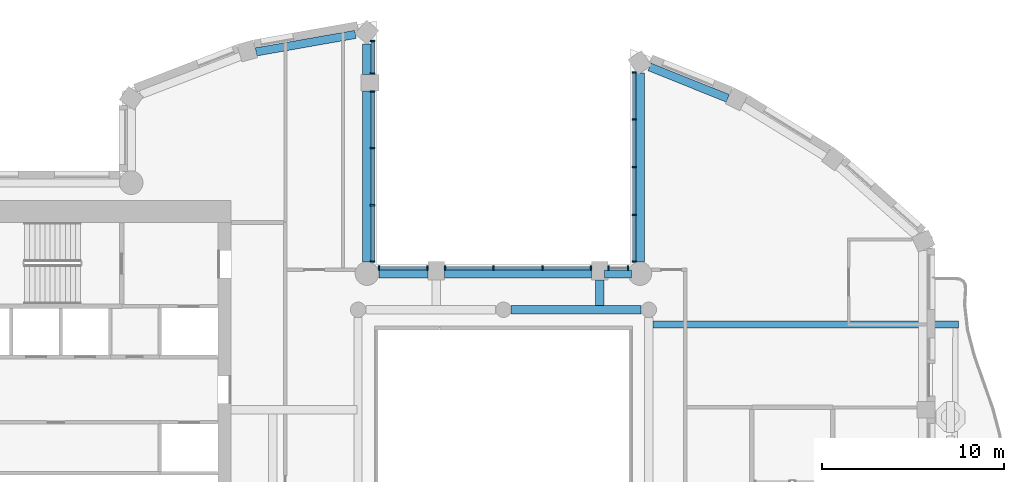
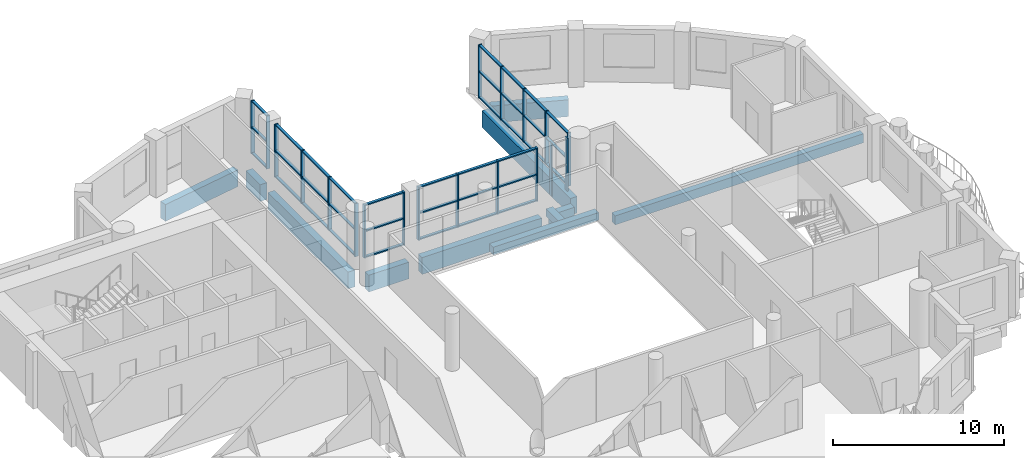
# One storey, part 2 of 14: 55 members, 11 beams, 6 elements without a shape of their own.
"""IFC4 building model written with IfcOpenShell, lengths in metres."""

from ifc_helpers import new_model, si_unit, direction, frame, origin, origin_2d, place, context, subcontext, project, spatial, rectangle, extrude, material, material_profile, profile_set, type_object, element, aggregate, save


model = new_model("IFC4")

# Units and contexts
model_context = context("Model", 3, precision=1e-05, world=origin(), true_north=direction((0.0, 1.0)))
body_context = subcontext(model_context, "Body", "Model", "MODEL_VIEW")
ifc_project = project(units=[si_unit("LENGTHUNIT", "METRE"), si_unit("AREAUNIT", "SQUARE_METRE"), si_unit("VOLUMEUNIT", "CUBIC_METRE"), si_unit("PLANEANGLEUNIT", "RADIAN"), si_unit("MASSUNIT", "GRAM", prefix="KILO")], contexts=[model_context])

# Site, building, storey
site_placement = place(None, origin())
site = spatial("IfcSite", under=ifc_project, at=site_placement, CompositionType="ELEMENT")
building_placement = place(site_placement, origin())
building = spatial("IfcBuilding", under=site, at=building_placement, Name="Cypress Arch Tower", CompositionType="ELEMENT")
storey_placement = place(building_placement, frame((0.0, 0.0, 280.300048828125)))
storey = spatial("IfcBuildingStorey", under=building, at=storey_placement, Name="L63", CompositionType="ELEMENT", Elevation=280.300048828125)

# Beams
ifc_material_1 = material(Name="Concrete C50/60", Category="concrete")
ifc_material_profile_1 = material_profile(ifc_material_1, rectangle(XDim=0.39990234375, YDim=0.64990234375, at=origin_2d()), Name="RC 400x650")
ifc_profile_set_1 = profile_set([ifc_material_profile_1], Name="Concrete C50/60")
beam_type_1 = type_object("IfcBeamType", Name="Cantilever beam RC 400x650 Concrete C50/60", PredefinedType="BEAM", material=ifc_profile_set_1)
beam_1_placement = place(storey_placement, frame((9.22509765625, 9.1826171875, -0.625), z_axis=(1.0, 0.0, 0.0), x_axis=(0.0, 1.0, 0.0)))
element("IfcBeam", 1, at=beam_1_placement, inside=storey, type_object=beam_type_1, Name="Cantilever beam L63 C17 2", PredefinedType="BEAM", context=body_context, shape_type="SweptSolid", body=[
    extrude(rectangle(XDim=0.39990234375, YDim=0.64990234375, at=origin_2d()), origin(), (0.0, 0.0, 1.0), 16.80419921875),
])
ifc_material_2 = material(Name="Concrete C50/60", Category="concrete")
ifc_material_profile_2 = material_profile(ifc_material_2, rectangle(XDim=0.449951171875, YDim=0.550048828125, at=origin_2d()), Name="RC 450x550")
ifc_profile_set_2 = profile_set([ifc_material_profile_2], Name="Concrete C50/60")
beam_type_2 = type_object("IfcBeamType", Name="Floor beam RC 450x550 Concrete C50/60", PredefinedType="BEAM", material=ifc_profile_set_2)
beam_2_placement = place(storey_placement, frame((1.425048828125, 10.0, -0.574951171875), z_axis=(1.0, 0.0, 0.0), x_axis=(0.0, 1.0, 0.0)))
element("IfcBeam", 2, at=beam_2_placement, inside=storey, type_object=beam_type_2, Name="Floor beam L63 RB008", PredefinedType="BEAM", context=body_context, shape_type="SweptSolid", body=[
    extrude(rectangle(XDim=0.449951171875, YDim=0.550048828125, at=origin_2d()), origin(), (0.0, 0.0, 1.0), 7.14990234375),
])
beam_3_placement = place(storey_placement, frame((6.300048828125, 10.22509765625, -0.574951171875), z_axis=(0.0, 1.0, 0.0), x_axis=(-1.0, 0.0, 0.0)))
element("IfcBeam", 3, at=beam_3_placement, inside=storey, type_object=beam_type_2, Name="Floor beam L63 FB013", PredefinedType="BEAM", context=body_context, shape_type="SweptSolid", body=[
    extrude(rectangle(XDim=0.449951171875, YDim=0.550048828125, at=origin_2d()), origin(), (0.0, 0.0, 1.0), 1.4248046875),
])

# Curtain wall, members
ifc_material_3 = material(Name="Anodised aluminium, bronze finish, clear laminated double glazing", Category="aluminium")
curtain_wall_type = type_object("IfcCurtainWallType", Name="Curtain wall CW7 slot glazing", PredefinedType="NOTDEFINED", material=ifc_material_3)
curtain_wall_1_placement = place(storey_placement, origin())
curtain_wall_1 = element("IfcCurtainWall", 4, at=curtain_wall_1_placement, inside=storey, type_object=curtain_wall_type, Name="Curtain wall L63 slot C00.0", PredefinedType="NOTDEFINED")
ifc_material_4 = material(Name="Anodised aluminium, bronze finish", Category="aluminium")
ifc_material_profile_3 = material_profile(ifc_material_4, rectangle(XDim=0.239990234375, YDim=0.0849609375, at=origin_2d()), Name="Mullion 85x240")
ifc_profile_set_3 = profile_set([ifc_material_profile_3], Name="Anodised aluminium, bronze finish")
member_type_1 = type_object("IfcMemberType", Name="Mullion CW7 85x240", PredefinedType="MULLION", material=ifc_profile_set_3)
member_1_placement = place(storey_placement, frame((8.199951171875, 23.060302734375, 0.0), z_axis=(0.0, 0.0, 1.0), x_axis=(1.0, 0.0, 0.0)))
member_1 = element("IfcMember", 5, at=member_1_placement, type_object=member_type_1, Name="CW7 mullion 1", PredefinedType="MULLION", context=body_context, shape_type="SweptSolid", body=[
    extrude(rectangle(XDim=0.239990234375, YDim=0.0849609375, at=origin_2d()), origin(), (0.0, 0.0, 1.0), 3.800048828125),
])
member_2_placement = place(storey_placement, frame((8.199951171875, 20.477294921875, 0.0), z_axis=(0.0, 0.0, 1.0), x_axis=(1.0, 0.0, 0.0)))
member_2 = element("IfcMember", 6, at=member_2_placement, type_object=member_type_1, Name="CW7 mullion 2", PredefinedType="MULLION", context=body_context, shape_type="SweptSolid", body=[
    extrude(rectangle(XDim=0.239990234375, YDim=0.0849609375, at=origin_2d()), origin(), (0.0, 0.0, 1.0), 3.800048828125),
])
member_3_placement = place(storey_placement, frame((8.199951171875, 17.85205078125, 0.0), z_axis=(0.0, 0.0, 1.0), x_axis=(1.0, 0.0, 0.0)))
member_3 = element("IfcMember", 7, at=member_3_placement, type_object=member_type_1, Name="CW7 mullion 3", PredefinedType="MULLION", context=body_context, shape_type="SweptSolid", body=[
    extrude(rectangle(XDim=0.239990234375, YDim=0.0849609375, at=origin_2d()), origin(), (0.0, 0.0, 1.0), 3.800048828125),
])
member_4_placement = place(storey_placement, frame((8.199951171875, 15.226806640625, 0.0), z_axis=(0.0, 0.0, 1.0), x_axis=(1.0, 0.0, 0.0)))
member_4 = element("IfcMember", 8, at=member_4_placement, type_object=member_type_1, Name="CW7 mullion 4", PredefinedType="MULLION", context=body_context, shape_type="SweptSolid", body=[
    extrude(rectangle(XDim=0.239990234375, YDim=0.0849609375, at=origin_2d()), origin(), (0.0, 0.0, 1.0), 3.800048828125),
])
member_5_placement = place(storey_placement, frame((8.199951171875, 12.64404296875, 0.0), z_axis=(0.0, 0.0, 1.0), x_axis=(1.0, 0.0, 0.0)))
member_5 = element("IfcMember", 9, at=member_5_placement, type_object=member_type_1, Name="CW7 mullion 5", PredefinedType="MULLION", context=body_context, shape_type="SweptSolid", body=[
    extrude(rectangle(XDim=0.239990234375, YDim=0.0849609375, at=origin_2d()), origin(), (0.0, 0.0, 1.0), 3.800048828125),
])

curtain_wall_2_placement = place(storey_placement, origin())
curtain_wall_2 = element("IfcCurtainWall", 10, at=curtain_wall_2_placement, inside=storey, type_object=curtain_wall_type, Name="Curtain wall L63 slot C01.0", PredefinedType="NOTDEFINED")
member_6_placement = place(storey_placement, frame((7.85595703125, 12.300048828125, 0.0), z_axis=(0.0, 0.0, 1.0), x_axis=(0.0, -1.0, 0.0)))
member_6 = element("IfcMember", 11, at=member_6_placement, type_object=member_type_1, Name="CW7 mullion 1", PredefinedType="MULLION", context=body_context, shape_type="SweptSolid", body=[
    extrude(rectangle(XDim=0.239990234375, YDim=0.0849609375, at=origin_2d()), origin(), (0.0, 0.0, 1.0), 3.800048828125),
])
member_7_placement = place(storey_placement, frame((6.79248046875, 12.300048828125, 0.0), z_axis=(0.0, 0.0, 1.0), x_axis=(0.0, -1.0, 0.0)))
member_7 = element("IfcMember", 12, at=member_7_placement, type_object=member_type_1, Name="CW7 mullion 2", PredefinedType="MULLION", context=body_context, shape_type="SweptSolid", body=[
    extrude(rectangle(XDim=0.239990234375, YDim=0.0849609375, at=origin_2d()), origin(), (0.0, 0.0, 1.0), 3.800048828125),
])
aggregate(curtain_wall_2, [member_6, member_7])

curtain_wall_3_placement = place(storey_placement, origin())
curtain_wall_3 = element("IfcCurtainWall", 13, at=curtain_wall_3_placement, inside=storey, type_object=curtain_wall_type, Name="Curtain wall L63 slot C01.1", PredefinedType="NOTDEFINED")
member_8_placement = place(storey_placement, frame((5.8076171875, 12.300048828125, 0.0), z_axis=(0.0, 0.0, 1.0), x_axis=(0.0, -1.0, 0.0)))
member_8 = element("IfcMember", 14, at=member_8_placement, type_object=member_type_1, Name="CW7 mullion 1", PredefinedType="MULLION", context=body_context, shape_type="SweptSolid", body=[
    extrude(rectangle(XDim=0.239990234375, YDim=0.0849609375, at=origin_2d()), origin(), (0.0, 0.0, 1.0), 3.800048828125),
])
member_9_placement = place(storey_placement, frame((3.14990234375, 12.300048828125, 0.0), z_axis=(0.0, 0.0, 1.0), x_axis=(0.0, -1.0, 0.0)))
member_9 = element("IfcMember", 15, at=member_9_placement, type_object=member_type_1, Name="CW7 mullion 2", PredefinedType="MULLION", context=body_context, shape_type="SweptSolid", body=[
    extrude(rectangle(XDim=0.239990234375, YDim=0.0849609375, at=origin_2d()), origin(), (0.0, 0.0, 1.0), 3.800048828125),
])
member_10_placement = place(storey_placement, frame((0.449951171875, 12.300048828125, 0.0), z_axis=(0.0, 0.0, 1.0), x_axis=(0.0, -1.0, 0.0)))
member_10 = element("IfcMember", 16, at=member_10_placement, type_object=member_type_1, Name="CW7 mullion 3", PredefinedType="MULLION", context=body_context, shape_type="SweptSolid", body=[
    extrude(rectangle(XDim=0.239990234375, YDim=0.0849609375, at=origin_2d()), origin(), (0.0, 0.0, 1.0), 3.800048828125),
])
member_11_placement = place(storey_placement, frame((-2.20751953125, 12.300048828125, 0.0), z_axis=(0.0, 0.0, 1.0), x_axis=(0.0, -1.0, 0.0)))
member_11 = element("IfcMember", 17, at=member_11_placement, type_object=member_type_1, Name="CW7 mullion 4", PredefinedType="MULLION", context=body_context, shape_type="SweptSolid", body=[
    extrude(rectangle(XDim=0.239990234375, YDim=0.0849609375, at=origin_2d()), origin(), (0.0, 0.0, 1.0), 3.800048828125),
])

curtain_wall_4_placement = place(storey_placement, origin())
curtain_wall_4 = element("IfcCurtainWall", 18, at=curtain_wall_4_placement, inside=storey, type_object=curtain_wall_type, Name="Curtain wall L63 slot C01.2", PredefinedType="NOTDEFINED")
member_12_placement = place(storey_placement, frame((-3.1923828125, 12.300048828125, 0.0), z_axis=(0.0, 0.0, 1.0), x_axis=(0.0, -1.0, 0.0)))
member_12 = element("IfcMember", 19, at=member_12_placement, type_object=member_type_1, Name="CW7 mullion 1", PredefinedType="MULLION", context=body_context, shape_type="SweptSolid", body=[
    extrude(rectangle(XDim=0.239990234375, YDim=0.0849609375, at=origin_2d()), origin(), (0.0, 0.0, 1.0), 3.800048828125),
])
member_13_placement = place(storey_placement, frame((-5.85595703125, 12.300048828125, 0.0), z_axis=(0.0, 0.0, 1.0), x_axis=(0.0, -1.0, 0.0)))
member_13 = element("IfcMember", 20, at=member_13_placement, type_object=member_type_1, Name="CW7 mullion 2", PredefinedType="MULLION", context=body_context, shape_type="SweptSolid", body=[
    extrude(rectangle(XDim=0.239990234375, YDim=0.0849609375, at=origin_2d()), origin(), (0.0, 0.0, 1.0), 3.800048828125),
])

curtain_wall_5_placement = place(storey_placement, origin())
curtain_wall_5 = element("IfcCurtainWall", 21, at=curtain_wall_5_placement, inside=storey, type_object=curtain_wall_type, Name="Curtain wall L63 slot C02.0", PredefinedType="NOTDEFINED")
member_14_placement = place(storey_placement, frame((-6.199951171875, 12.64404296875, 0.0), z_axis=(0.0, 0.0, 1.0), x_axis=(-1.0, 0.0, 0.0)))
member_14 = element("IfcMember", 22, at=member_14_placement, type_object=member_type_1, Name="CW7 mullion 1", PredefinedType="MULLION", context=body_context, shape_type="SweptSolid", body=[
    extrude(rectangle(XDim=0.239990234375, YDim=0.0849609375, at=origin_2d()), origin(), (0.0, 0.0, 1.0), 3.800048828125),
])
member_15_placement = place(storey_placement, frame((-6.199951171875, 15.7509765625, 0.0), z_axis=(0.0, 0.0, 1.0), x_axis=(-1.0, 0.0, 0.0)))
member_15 = element("IfcMember", 23, at=member_15_placement, type_object=member_type_1, Name="CW7 mullion 2", PredefinedType="MULLION", context=body_context, shape_type="SweptSolid", body=[
    extrude(rectangle(XDim=0.239990234375, YDim=0.0849609375, at=origin_2d()), origin(), (0.0, 0.0, 1.0), 3.800048828125),
])
member_16_placement = place(storey_placement, frame((-6.199951171875, 18.900390625, 0.0), z_axis=(0.0, 0.0, 1.0), x_axis=(-1.0, 0.0, 0.0)))
member_16 = element("IfcMember", 24, at=member_16_placement, type_object=member_type_1, Name="CW7 mullion 3", PredefinedType="MULLION", context=body_context, shape_type="SweptSolid", body=[
    extrude(rectangle(XDim=0.239990234375, YDim=0.0849609375, at=origin_2d()), origin(), (0.0, 0.0, 1.0), 3.800048828125),
])
member_17_placement = place(storey_placement, frame((-6.199951171875, 22.007568359375, 0.0), z_axis=(0.0, 0.0, 1.0), x_axis=(-1.0, 0.0, 0.0)))
member_17 = element("IfcMember", 25, at=member_17_placement, type_object=member_type_1, Name="CW7 mullion 4", PredefinedType="MULLION", context=body_context, shape_type="SweptSolid", body=[
    extrude(rectangle(XDim=0.239990234375, YDim=0.0849609375, at=origin_2d()), origin(), (0.0, 0.0, 1.0), 3.800048828125),
])

curtain_wall_6_placement = place(storey_placement, origin())
curtain_wall_6 = element("IfcCurtainWall", 26, at=curtain_wall_6_placement, inside=storey, type_object=curtain_wall_type, Name="Curtain wall L63 slot C02.1", PredefinedType="NOTDEFINED")
member_18_placement = place(storey_placement, frame((-6.199951171875, 22.992431640625, 0.0), z_axis=(0.0, 0.0, 1.0), x_axis=(-1.0, 0.0, 0.0)))
member_18 = element("IfcMember", 27, at=member_18_placement, type_object=member_type_1, Name="CW7 mullion 1", PredefinedType="MULLION", context=body_context, shape_type="SweptSolid", body=[
    extrude(rectangle(XDim=0.239990234375, YDim=0.0849609375, at=origin_2d()), origin(), (0.0, 0.0, 1.0), 3.800048828125),
])
member_19_placement = place(storey_placement, frame((-6.199951171875, 24.789794921875, 0.0), z_axis=(0.0, 0.0, 1.0), x_axis=(-1.0, 0.0, 0.0)))
member_19 = element("IfcMember", 28, at=member_19_placement, type_object=member_type_1, Name="CW7 mullion 2", PredefinedType="MULLION", context=body_context, shape_type="SweptSolid", body=[
    extrude(rectangle(XDim=0.239990234375, YDim=0.0849609375, at=origin_2d()), origin(), (0.0, 0.0, 1.0), 3.800048828125),
])

# Beams
ifc_material_5 = material(Name="Concrete C50/60", Category="concrete")
ifc_material_profile_4 = material_profile(ifc_material_5, rectangle(XDim=0.449951171875, YDim=1.199951171875, at=origin_2d()), Name="RC 450x1200")
ifc_profile_set_4 = profile_set([ifc_material_profile_4], Name="Concrete C50/60")
beam_type_3 = type_object("IfcBeamType", Name="Spandrel beam RC 450x1200 Concrete C50/60", PredefinedType="SPANDREL", material=ifc_profile_set_4)
beam_4_placement = place(storey_placement, frame((8.52490234375, 23.017578125, -1.550048828125), z_axis=(0.0, -1.0, 0.0), x_axis=(1.0, 0.0, 0.0)))
element("IfcBeam", 29, at=beam_4_placement, inside=storey, type_object=beam_type_3, Name="Spandrel beam L63 BC00-0", PredefinedType="SPANDREL", context=body_context, shape_type="SweptSolid", body=[
    extrude(rectangle(XDim=0.449951171875, YDim=1.199951171875, at=origin_2d()), origin(), (0.0, 0.0, 1.0), 10.380126953125),
])
beam_5_placement = place(storey_placement, frame((8.05615234375, 11.97509765625, -1.550048828125), z_axis=(-1.0, 0.0, 0.0), x_axis=(0.0, -1.0, 0.0)))
element("IfcBeam", 30, at=beam_5_placement, inside=storey, type_object=beam_type_3, Name="Spandrel beam L63 BC01-0", PredefinedType="SPANDREL", context=body_context, shape_type="SweptSolid", body=[
    extrude(rectangle(XDim=0.449951171875, YDim=1.199951171875, at=origin_2d()), origin(), (0.0, 0.0, 1.0), 1.5),
])
beam_6_placement = place(storey_placement, frame((5.85009765625, 11.97509765625, -1.550048828125), z_axis=(-1.0, 0.0, 0.0), x_axis=(0.0, -1.0, 0.0)))
element("IfcBeam", 31, at=beam_6_placement, inside=storey, type_object=beam_type_3, Name="Spandrel beam L63 BC01-1", PredefinedType="SPANDREL", context=body_context, shape_type="SweptSolid", body=[
    extrude(rectangle(XDim=0.449951171875, YDim=1.199951171875, at=origin_2d()), origin(), (0.0, 0.0, 1.0), 8.10009765625),
])
beam_7_placement = place(storey_placement, frame((-3.14990234375, 11.97509765625, -1.550048828125), z_axis=(-1.0, 0.0, 0.0), x_axis=(0.0, -1.0, 0.0)))
element("IfcBeam", 32, at=beam_7_placement, inside=storey, type_object=beam_type_3, Name="Spandrel beam L63 BC01-2", PredefinedType="SPANDREL", context=body_context, shape_type="SweptSolid", body=[
    extrude(rectangle(XDim=0.449951171875, YDim=1.199951171875, at=origin_2d()), origin(), (0.0, 0.0, 1.0), 2.712646484375),
])
beam_8_placement = place(storey_placement, frame((-6.52490234375, 12.637451171875, -1.550048828125), z_axis=(0.0, 1.0, 0.0), x_axis=(-1.0, 0.0, 0.0)))
element("IfcBeam", 33, at=beam_8_placement, inside=storey, type_object=beam_type_3, Name="Spandrel beam L63 BC02-0", PredefinedType="SPANDREL", context=body_context, shape_type="SweptSolid", body=[
    extrude(rectangle(XDim=0.449951171875, YDim=1.199951171875, at=origin_2d()), origin(), (0.0, 0.0, 1.0), 9.41259765625),
])
beam_9_placement = place(storey_placement, frame((-6.52490234375, 22.949951171875, -1.550048828125), z_axis=(0.0, 1.0, 0.0), x_axis=(-1.0, 0.0, 0.0)))
element("IfcBeam", 34, at=beam_9_placement, inside=storey, type_object=beam_type_3, Name="Spandrel beam L63 BC02-1", PredefinedType="SPANDREL", context=body_context, shape_type="SweptSolid", body=[
    extrude(rectangle(XDim=0.449951171875, YDim=1.199951171875, at=origin_2d()), origin(), (0.0, 0.0, 1.0), 1.6796875),
])
beam_10_placement = place(storey_placement, frame((-7.14990234375, 25.154052734375, -1.550048828125), z_axis=(-0.984800388539, -0.173689938494, 0.0), x_axis=(0.173689938494, -0.984800388539, 0.0)))
element("IfcBeam", 35, at=beam_10_placement, inside=storey, type_object=beam_type_3, Name="Spandrel beam L63 BC03-0", PredefinedType="SPANDREL", context=body_context, shape_type="SweptSolid", body=[
    extrude(rectangle(XDim=0.449951171875, YDim=1.199951171875, at=origin_2d()), origin(), (0.0, 0.0, 1.0), 5.5478515625),
])
beam_11_placement = place(storey_placement, frame((13.343994140625, 21.6376953125, -1.550048828125), z_axis=(-0.92793836678, 0.372733668263, 0.0), x_axis=(-0.372733668263, -0.92793836678, 0.0)))
element("IfcBeam", 36, at=beam_11_placement, inside=storey, type_object=beam_type_3, Name="Spandrel beam L63 BC20-0", PredefinedType="SPANDREL", context=body_context, shape_type="SweptSolid", body=[
    extrude(rectangle(XDim=0.449951171875, YDim=1.199951171875, at=origin_2d()), origin(), (0.0, 0.0, 1.0), 4.637451171875),
])

# Member
ifc_material_6 = material(Name="Anodised aluminium, bronze finish", Category="aluminium")
ifc_material_profile_5 = material_profile(ifc_material_6, rectangle(XDim=0.179931640625, YDim=0.0849609375, at=origin_2d()), Name="Transom 85x180")
ifc_profile_set_5 = profile_set([ifc_material_profile_5], Name="Anodised aluminium, bronze finish")
member_type_2 = type_object("IfcMemberType", Name="Transom CW7 85x180", PredefinedType="USERDEFINED", material=ifc_profile_set_5)
member_20_placement = place(storey_placement, frame((8.199951171875, 23.017578125, 0.04248046875), z_axis=(0.0, -1.0, 0.0), x_axis=(1.0, 0.0, 0.0)))
member_20 = element("IfcMember", 37, at=member_20_placement, type_object=member_type_2, Name="CW7 transom 1.1", ObjectType="TRANSOM", PredefinedType="USERDEFINED", context=body_context, shape_type="SweptSolid", body=[
    extrude(rectangle(XDim=0.179931640625, YDim=0.0849609375, at=origin_2d()), origin(), (0.0, 0.0, 1.0), 2.497802734375),
])

member_21_placement = place(storey_placement, frame((8.199951171875, 23.017578125, 1.89990234375), z_axis=(0.0, -1.0, 0.0), x_axis=(1.0, 0.0, 0.0)))
member_21 = element("IfcMember", 38, at=member_21_placement, type_object=member_type_2, Name="CW7 transom 1.2", ObjectType="TRANSOM", PredefinedType="USERDEFINED", context=body_context, shape_type="SweptSolid", body=[
    extrude(rectangle(XDim=0.179931640625, YDim=0.0849609375, at=origin_2d()), origin(), (0.0, 0.0, 1.0), 2.497802734375),
])

member_22_placement = place(storey_placement, frame((8.199951171875, 23.017578125, 3.757568359375), z_axis=(0.0, -1.0, 0.0), x_axis=(1.0, 0.0, 0.0)))
member_22 = element("IfcMember", 39, at=member_22_placement, type_object=member_type_2, Name="CW7 transom 1.3", ObjectType="TRANSOM", PredefinedType="USERDEFINED", context=body_context, shape_type="SweptSolid", body=[
    extrude(rectangle(XDim=0.179931640625, YDim=0.0849609375, at=origin_2d()), origin(), (0.0, 0.0, 1.0), 2.497802734375),
])

member_23_placement = place(storey_placement, frame((8.199951171875, 20.434814453125, 0.04248046875), z_axis=(0.0, -1.0, 0.0), x_axis=(1.0, 0.0, 0.0)))
member_23 = element("IfcMember", 40, at=member_23_placement, type_object=member_type_2, Name="CW7 transom 2.1", ObjectType="TRANSOM", PredefinedType="USERDEFINED", context=body_context, shape_type="SweptSolid", body=[
    extrude(rectangle(XDim=0.179931640625, YDim=0.0849609375, at=origin_2d()), origin(), (0.0, 0.0, 1.0), 2.540283203125),
])

member_24_placement = place(storey_placement, frame((8.199951171875, 20.434814453125, 1.89990234375), z_axis=(0.0, -1.0, 0.0), x_axis=(1.0, 0.0, 0.0)))
member_24 = element("IfcMember", 41, at=member_24_placement, type_object=member_type_2, Name="CW7 transom 2.2", ObjectType="TRANSOM", PredefinedType="USERDEFINED", context=body_context, shape_type="SweptSolid", body=[
    extrude(rectangle(XDim=0.179931640625, YDim=0.0849609375, at=origin_2d()), origin(), (0.0, 0.0, 1.0), 2.540283203125),
])

member_25_placement = place(storey_placement, frame((8.199951171875, 20.434814453125, 3.757568359375), z_axis=(0.0, -1.0, 0.0), x_axis=(1.0, 0.0, 0.0)))
member_25 = element("IfcMember", 42, at=member_25_placement, type_object=member_type_2, Name="CW7 transom 2.3", ObjectType="TRANSOM", PredefinedType="USERDEFINED", context=body_context, shape_type="SweptSolid", body=[
    extrude(rectangle(XDim=0.179931640625, YDim=0.0849609375, at=origin_2d()), origin(), (0.0, 0.0, 1.0), 2.540283203125),
])

member_26_placement = place(storey_placement, frame((8.199951171875, 17.8095703125, 0.04248046875), z_axis=(0.0, -1.0, 0.0), x_axis=(1.0, 0.0, 0.0)))
member_26 = element("IfcMember", 43, at=member_26_placement, type_object=member_type_2, Name="CW7 transom 3.1", ObjectType="TRANSOM", PredefinedType="USERDEFINED", context=body_context, shape_type="SweptSolid", body=[
    extrude(rectangle(XDim=0.179931640625, YDim=0.0849609375, at=origin_2d()), origin(), (0.0, 0.0, 1.0), 2.540283203125),
])

member_27_placement = place(storey_placement, frame((8.199951171875, 17.8095703125, 1.89990234375), z_axis=(0.0, -1.0, 0.0), x_axis=(1.0, 0.0, 0.0)))
member_27 = element("IfcMember", 44, at=member_27_placement, type_object=member_type_2, Name="CW7 transom 3.2", ObjectType="TRANSOM", PredefinedType="USERDEFINED", context=body_context, shape_type="SweptSolid", body=[
    extrude(rectangle(XDim=0.179931640625, YDim=0.0849609375, at=origin_2d()), origin(), (0.0, 0.0, 1.0), 2.540283203125),
])

member_28_placement = place(storey_placement, frame((8.199951171875, 17.8095703125, 3.757568359375), z_axis=(0.0, -1.0, 0.0), x_axis=(1.0, 0.0, 0.0)))
member_28 = element("IfcMember", 45, at=member_28_placement, type_object=member_type_2, Name="CW7 transom 3.3", ObjectType="TRANSOM", PredefinedType="USERDEFINED", context=body_context, shape_type="SweptSolid", body=[
    extrude(rectangle(XDim=0.179931640625, YDim=0.0849609375, at=origin_2d()), origin(), (0.0, 0.0, 1.0), 2.540283203125),
])

member_29_placement = place(storey_placement, frame((8.199951171875, 15.184326171875, 0.04248046875), z_axis=(0.0, -1.0, 0.0), x_axis=(1.0, 0.0, 0.0)))
member_29 = element("IfcMember", 46, at=member_29_placement, type_object=member_type_2, Name="CW7 transom 4.1", ObjectType="TRANSOM", PredefinedType="USERDEFINED", context=body_context, shape_type="SweptSolid", body=[
    extrude(rectangle(XDim=0.179931640625, YDim=0.0849609375, at=origin_2d()), origin(), (0.0, 0.0, 1.0), 2.497802734375),
])

member_30_placement = place(storey_placement, frame((8.199951171875, 15.184326171875, 1.89990234375), z_axis=(0.0, -1.0, 0.0), x_axis=(1.0, 0.0, 0.0)))
member_30 = element("IfcMember", 47, at=member_30_placement, type_object=member_type_2, Name="CW7 transom 4.2", ObjectType="TRANSOM", PredefinedType="USERDEFINED", context=body_context, shape_type="SweptSolid", body=[
    extrude(rectangle(XDim=0.179931640625, YDim=0.0849609375, at=origin_2d()), origin(), (0.0, 0.0, 1.0), 2.497802734375),
])

member_31_placement = place(storey_placement, frame((8.199951171875, 15.184326171875, 3.757568359375), z_axis=(0.0, -1.0, 0.0), x_axis=(1.0, 0.0, 0.0)))
member_31 = element("IfcMember", 48, at=member_31_placement, type_object=member_type_2, Name="CW7 transom 4.3", ObjectType="TRANSOM", PredefinedType="USERDEFINED", context=body_context, shape_type="SweptSolid", body=[
    extrude(rectangle(XDim=0.179931640625, YDim=0.0849609375, at=origin_2d()), origin(), (0.0, 0.0, 1.0), 2.497802734375),
])

aggregate(curtain_wall_1, [member_1, member_2, member_3, member_4, member_5, member_20, member_21, member_22, member_23, member_24, member_25, member_26, member_27, member_28, member_29, member_30, member_31])

member_32_placement = place(storey_placement, frame((5.764892578125, 12.300048828125, 0.04248046875), z_axis=(-1.0, 0.0, 0.0), x_axis=(0.0, -1.0, 0.0)))
member_32 = element("IfcMember", 49, at=member_32_placement, type_object=member_type_2, Name="CW7 transom 1.1", ObjectType="TRANSOM", PredefinedType="USERDEFINED", context=body_context, shape_type="SweptSolid", body=[
    extrude(rectangle(XDim=0.179931640625, YDim=0.0849609375, at=origin_2d()), origin(), (0.0, 0.0, 1.0), 2.572509765625),
])

member_33_placement = place(storey_placement, frame((5.764892578125, 12.300048828125, 1.89990234375), z_axis=(-1.0, 0.0, 0.0), x_axis=(0.0, -1.0, 0.0)))
member_33 = element("IfcMember", 50, at=member_33_placement, type_object=member_type_2, Name="CW7 transom 1.2", ObjectType="TRANSOM", PredefinedType="USERDEFINED", context=body_context, shape_type="SweptSolid", body=[
    extrude(rectangle(XDim=0.179931640625, YDim=0.0849609375, at=origin_2d()), origin(), (0.0, 0.0, 1.0), 2.572509765625),
])

member_34_placement = place(storey_placement, frame((5.764892578125, 12.300048828125, 3.757568359375), z_axis=(-1.0, 0.0, 0.0), x_axis=(0.0, -1.0, 0.0)))
member_34 = element("IfcMember", 51, at=member_34_placement, type_object=member_type_2, Name="CW7 transom 1.3", ObjectType="TRANSOM", PredefinedType="USERDEFINED", context=body_context, shape_type="SweptSolid", body=[
    extrude(rectangle(XDim=0.179931640625, YDim=0.0849609375, at=origin_2d()), origin(), (0.0, 0.0, 1.0), 2.572509765625),
])

member_35_placement = place(storey_placement, frame((3.107421875, 12.300048828125, 0.04248046875), z_axis=(-1.0, 0.0, 0.0), x_axis=(0.0, -1.0, 0.0)))
member_35 = element("IfcMember", 52, at=member_35_placement, type_object=member_type_2, Name="CW7 transom 2.1", ObjectType="TRANSOM", PredefinedType="USERDEFINED", context=body_context, shape_type="SweptSolid", body=[
    extrude(rectangle(XDim=0.179931640625, YDim=0.0849609375, at=origin_2d()), origin(), (0.0, 0.0, 1.0), 2.614990234375),
])

member_36_placement = place(storey_placement, frame((3.107421875, 12.300048828125, 1.89990234375), z_axis=(-1.0, 0.0, 0.0), x_axis=(0.0, -1.0, 0.0)))
member_36 = element("IfcMember", 53, at=member_36_placement, type_object=member_type_2, Name="CW7 transom 2.2", ObjectType="TRANSOM", PredefinedType="USERDEFINED", context=body_context, shape_type="SweptSolid", body=[
    extrude(rectangle(XDim=0.179931640625, YDim=0.0849609375, at=origin_2d()), origin(), (0.0, 0.0, 1.0), 2.614990234375),
])

member_37_placement = place(storey_placement, frame((3.107421875, 12.300048828125, 3.757568359375), z_axis=(-1.0, 0.0, 0.0), x_axis=(0.0, -1.0, 0.0)))
member_37 = element("IfcMember", 54, at=member_37_placement, type_object=member_type_2, Name="CW7 transom 2.3", ObjectType="TRANSOM", PredefinedType="USERDEFINED", context=body_context, shape_type="SweptSolid", body=[
    extrude(rectangle(XDim=0.179931640625, YDim=0.0849609375, at=origin_2d()), origin(), (0.0, 0.0, 1.0), 2.614990234375),
])

member_38_placement = place(storey_placement, frame((0.407470703125, 12.300048828125, 0.04248046875), z_axis=(-1.0, 0.0, 0.0), x_axis=(0.0, -1.0, 0.0)))
member_38 = element("IfcMember", 55, at=member_38_placement, type_object=member_type_2, Name="CW7 transom 3.1", ObjectType="TRANSOM", PredefinedType="USERDEFINED", context=body_context, shape_type="SweptSolid", body=[
    extrude(rectangle(XDim=0.179931640625, YDim=0.0849609375, at=origin_2d()), origin(), (0.0, 0.0, 1.0), 2.572509765625),
])

member_39_placement = place(storey_placement, frame((0.407470703125, 12.300048828125, 1.89990234375), z_axis=(-1.0, 0.0, 0.0), x_axis=(0.0, -1.0, 0.0)))
member_39 = element("IfcMember", 56, at=member_39_placement, type_object=member_type_2, Name="CW7 transom 3.2", ObjectType="TRANSOM", PredefinedType="USERDEFINED", context=body_context, shape_type="SweptSolid", body=[
    extrude(rectangle(XDim=0.179931640625, YDim=0.0849609375, at=origin_2d()), origin(), (0.0, 0.0, 1.0), 2.572509765625),
])

member_40_placement = place(storey_placement, frame((0.407470703125, 12.300048828125, 3.757568359375), z_axis=(-1.0, 0.0, 0.0), x_axis=(0.0, -1.0, 0.0)))
member_40 = element("IfcMember", 57, at=member_40_placement, type_object=member_type_2, Name="CW7 transom 3.3", ObjectType="TRANSOM", PredefinedType="USERDEFINED", context=body_context, shape_type="SweptSolid", body=[
    extrude(rectangle(XDim=0.179931640625, YDim=0.0849609375, at=origin_2d()), origin(), (0.0, 0.0, 1.0), 2.572509765625),
])

aggregate(curtain_wall_3, [member_8, member_9, member_10, member_11, member_32, member_33, member_34, member_35, member_36, member_37, member_38, member_39, member_40])

member_41_placement = place(storey_placement, frame((-3.235107421875, 12.300048828125, 0.04248046875), z_axis=(-1.0, 0.0, 0.0), x_axis=(0.0, -1.0, 0.0)))
member_41 = element("IfcMember", 58, at=member_41_placement, type_object=member_type_2, Name="CW7 transom 1.1", ObjectType="TRANSOM", PredefinedType="USERDEFINED", context=body_context, shape_type="SweptSolid", body=[
    extrude(rectangle(XDim=0.179931640625, YDim=0.0849609375, at=origin_2d()), origin(), (0.0, 0.0, 1.0), 2.578369140625),
])

member_42_placement = place(storey_placement, frame((-3.235107421875, 12.300048828125, 1.89990234375), z_axis=(-1.0, 0.0, 0.0), x_axis=(0.0, -1.0, 0.0)))
member_42 = element("IfcMember", 59, at=member_42_placement, type_object=member_type_2, Name="CW7 transom 1.2", ObjectType="TRANSOM", PredefinedType="USERDEFINED", context=body_context, shape_type="SweptSolid", body=[
    extrude(rectangle(XDim=0.179931640625, YDim=0.0849609375, at=origin_2d()), origin(), (0.0, 0.0, 1.0), 2.578369140625),
])

member_43_placement = place(storey_placement, frame((-3.235107421875, 12.300048828125, 3.757568359375), z_axis=(-1.0, 0.0, 0.0), x_axis=(0.0, -1.0, 0.0)))
member_43 = element("IfcMember", 60, at=member_43_placement, type_object=member_type_2, Name="CW7 transom 1.3", ObjectType="TRANSOM", PredefinedType="USERDEFINED", context=body_context, shape_type="SweptSolid", body=[
    extrude(rectangle(XDim=0.179931640625, YDim=0.0849609375, at=origin_2d()), origin(), (0.0, 0.0, 1.0), 2.578369140625),
])

aggregate(curtain_wall_4, [member_12, member_13, member_41, member_42, member_43])

member_44_placement = place(storey_placement, frame((-6.199951171875, 12.6865234375, 0.04248046875), z_axis=(0.0, 1.0, 0.0), x_axis=(-1.0, 0.0, 0.0)))
member_44 = element("IfcMember", 61, at=member_44_placement, type_object=member_type_2, Name="CW7 transom 1.1", ObjectType="TRANSOM", PredefinedType="USERDEFINED", context=body_context, shape_type="SweptSolid", body=[
    extrude(rectangle(XDim=0.179931640625, YDim=0.0849609375, at=origin_2d()), origin(), (0.0, 0.0, 1.0), 3.02197265625),
])

member_45_placement = place(storey_placement, frame((-6.199951171875, 12.6865234375, 1.89990234375), z_axis=(0.0, 1.0, 0.0), x_axis=(-1.0, 0.0, 0.0)))
member_45 = element("IfcMember", 62, at=member_45_placement, type_object=member_type_2, Name="CW7 transom 1.2", ObjectType="TRANSOM", PredefinedType="USERDEFINED", context=body_context, shape_type="SweptSolid", body=[
    extrude(rectangle(XDim=0.179931640625, YDim=0.0849609375, at=origin_2d()), origin(), (0.0, 0.0, 1.0), 3.02197265625),
])

member_46_placement = place(storey_placement, frame((-6.199951171875, 12.6865234375, 3.757568359375), z_axis=(0.0, 1.0, 0.0), x_axis=(-1.0, 0.0, 0.0)))
member_46 = element("IfcMember", 63, at=member_46_placement, type_object=member_type_2, Name="CW7 transom 1.3", ObjectType="TRANSOM", PredefinedType="USERDEFINED", context=body_context, shape_type="SweptSolid", body=[
    extrude(rectangle(XDim=0.179931640625, YDim=0.0849609375, at=origin_2d()), origin(), (0.0, 0.0, 1.0), 3.02197265625),
])

member_47_placement = place(storey_placement, frame((-6.199951171875, 15.79345703125, 0.04248046875), z_axis=(0.0, 1.0, 0.0), x_axis=(-1.0, 0.0, 0.0)))
member_47 = element("IfcMember", 64, at=member_47_placement, type_object=member_type_2, Name="CW7 transom 2.1", ObjectType="TRANSOM", PredefinedType="USERDEFINED", context=body_context, shape_type="SweptSolid", body=[
    extrude(rectangle(XDim=0.179931640625, YDim=0.0849609375, at=origin_2d()), origin(), (0.0, 0.0, 1.0), 3.064453125),
])

member_48_placement = place(storey_placement, frame((-6.199951171875, 15.79345703125, 1.89990234375), z_axis=(0.0, 1.0, 0.0), x_axis=(-1.0, 0.0, 0.0)))
member_48 = element("IfcMember", 65, at=member_48_placement, type_object=member_type_2, Name="CW7 transom 2.2", ObjectType="TRANSOM", PredefinedType="USERDEFINED", context=body_context, shape_type="SweptSolid", body=[
    extrude(rectangle(XDim=0.179931640625, YDim=0.0849609375, at=origin_2d()), origin(), (0.0, 0.0, 1.0), 3.064453125),
])

member_49_placement = place(storey_placement, frame((-6.199951171875, 15.79345703125, 3.757568359375), z_axis=(0.0, 1.0, 0.0), x_axis=(-1.0, 0.0, 0.0)))
member_49 = element("IfcMember", 66, at=member_49_placement, type_object=member_type_2, Name="CW7 transom 2.3", ObjectType="TRANSOM", PredefinedType="USERDEFINED", context=body_context, shape_type="SweptSolid", body=[
    extrude(rectangle(XDim=0.179931640625, YDim=0.0849609375, at=origin_2d()), origin(), (0.0, 0.0, 1.0), 3.064453125),
])

member_50_placement = place(storey_placement, frame((-6.199951171875, 18.943115234375, 0.04248046875), z_axis=(0.0, 1.0, 0.0), x_axis=(-1.0, 0.0, 0.0)))
member_50 = element("IfcMember", 67, at=member_50_placement, type_object=member_type_2, Name="CW7 transom 3.1", ObjectType="TRANSOM", PredefinedType="USERDEFINED", context=body_context, shape_type="SweptSolid", body=[
    extrude(rectangle(XDim=0.179931640625, YDim=0.0849609375, at=origin_2d()), origin(), (0.0, 0.0, 1.0), 3.02197265625),
])

member_51_placement = place(storey_placement, frame((-6.199951171875, 18.943115234375, 1.89990234375), z_axis=(0.0, 1.0, 0.0), x_axis=(-1.0, 0.0, 0.0)))
member_51 = element("IfcMember", 68, at=member_51_placement, type_object=member_type_2, Name="CW7 transom 3.2", ObjectType="TRANSOM", PredefinedType="USERDEFINED", context=body_context, shape_type="SweptSolid", body=[
    extrude(rectangle(XDim=0.179931640625, YDim=0.0849609375, at=origin_2d()), origin(), (0.0, 0.0, 1.0), 3.02197265625),
])

member_52_placement = place(storey_placement, frame((-6.199951171875, 18.943115234375, 3.757568359375), z_axis=(0.0, 1.0, 0.0), x_axis=(-1.0, 0.0, 0.0)))
member_52 = element("IfcMember", 69, at=member_52_placement, type_object=member_type_2, Name="CW7 transom 3.3", ObjectType="TRANSOM", PredefinedType="USERDEFINED", context=body_context, shape_type="SweptSolid", body=[
    extrude(rectangle(XDim=0.179931640625, YDim=0.0849609375, at=origin_2d()), origin(), (0.0, 0.0, 1.0), 3.02197265625),
])

aggregate(curtain_wall_5, [member_14, member_15, member_16, member_17, member_44, member_45, member_46, member_47, member_48, member_49, member_50, member_51, member_52])

member_53_placement = place(storey_placement, frame((-6.199951171875, 23.034912109375, 0.04248046875), z_axis=(0.0, 1.0, 0.0), x_axis=(-1.0, 0.0, 0.0)))
member_53 = element("IfcMember", 70, at=member_53_placement, type_object=member_type_2, Name="CW7 transom 1.1", ObjectType="TRANSOM", PredefinedType="USERDEFINED", context=body_context, shape_type="SweptSolid", body=[
    extrude(rectangle(XDim=0.179931640625, YDim=0.0849609375, at=origin_2d()), origin(), (0.0, 0.0, 1.0), 1.71240234375),
])

member_54_placement = place(storey_placement, frame((-6.199951171875, 23.034912109375, 1.89990234375), z_axis=(0.0, 1.0, 0.0), x_axis=(-1.0, 0.0, 0.0)))
member_54 = element("IfcMember", 71, at=member_54_placement, type_object=member_type_2, Name="CW7 transom 1.2", ObjectType="TRANSOM", PredefinedType="USERDEFINED", context=body_context, shape_type="SweptSolid", body=[
    extrude(rectangle(XDim=0.179931640625, YDim=0.0849609375, at=origin_2d()), origin(), (0.0, 0.0, 1.0), 1.71240234375),
])

member_55_placement = place(storey_placement, frame((-6.199951171875, 23.034912109375, 3.757568359375), z_axis=(0.0, 1.0, 0.0), x_axis=(-1.0, 0.0, 0.0)))
member_55 = element("IfcMember", 72, at=member_55_placement, type_object=member_type_2, Name="CW7 transom 1.3", ObjectType="TRANSOM", PredefinedType="USERDEFINED", context=body_context, shape_type="SweptSolid", body=[
    extrude(rectangle(XDim=0.179931640625, YDim=0.0849609375, at=origin_2d()), origin(), (0.0, 0.0, 1.0), 1.71240234375),
])

aggregate(curtain_wall_6, [member_18, member_19, member_53, member_54, member_55])

save(model, "model.ifc")
